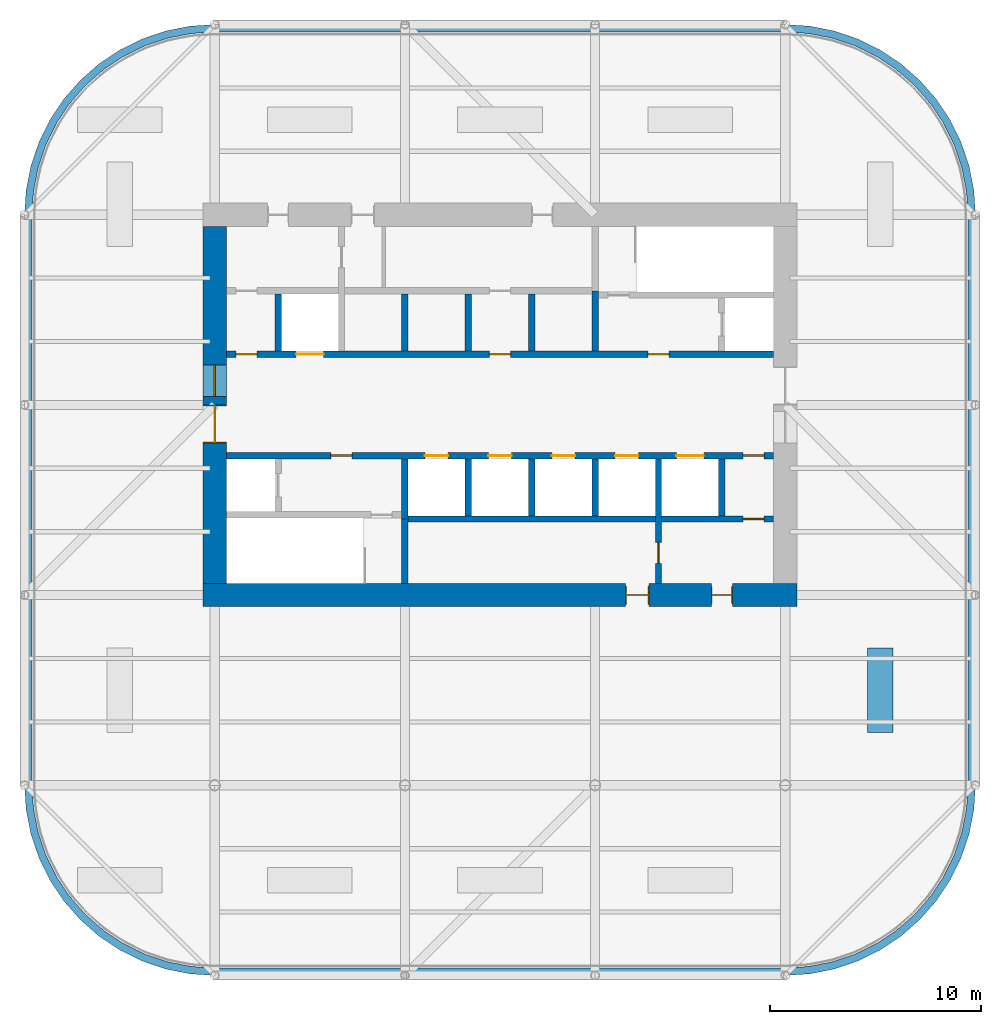
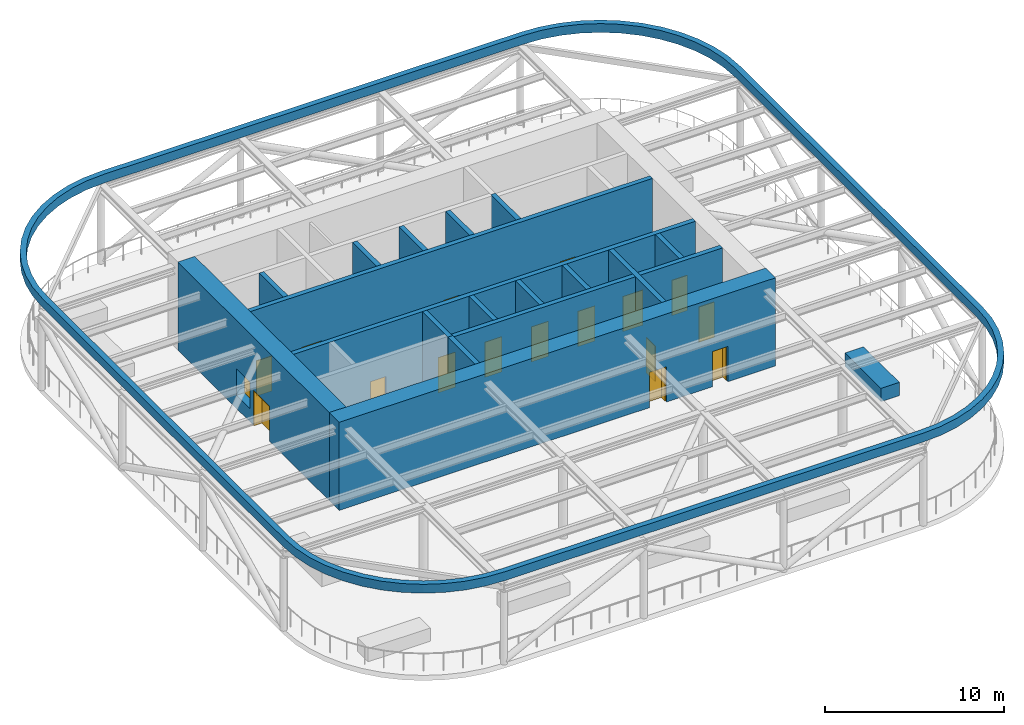
# One storey, part 5 of 8: 19 walls, 16 doors, 1 window, 17 openings.
"""IFC4 building model written with IfcOpenShell, lengths in metres."""

from ifc_helpers import new_model, si_unit, direction, frame, frame_2d, origin, place, context, subcontext, project, spatial, polyline, rectangle, outline, extrude, material, layer, layer_set, type_object, element, fill, save


model = new_model("IFC4")

# Units and contexts
model_context = context("Model", 3, precision=1e-05, world=origin(), true_north=direction((0.0, 1.0)))
body_context = subcontext(model_context, "Body", "Model", "MODEL_VIEW")
ifc_project = project(units=[si_unit("LENGTHUNIT", "METRE"), si_unit("AREAUNIT", "SQUARE_METRE"), si_unit("VOLUMEUNIT", "CUBIC_METRE"), si_unit("PLANEANGLEUNIT", "RADIAN"), si_unit("MASSUNIT", "GRAM", prefix="KILO")], contexts=[model_context])

# Site, building, storey
site_placement = place(None, origin())
site = spatial("IfcSite", under=ifc_project, at=site_placement, CompositionType="ELEMENT")
building_placement = place(site_placement, origin())
building = spatial("IfcBuilding", under=site, at=building_placement, Name="Zorevar Civic Tower", CompositionType="ELEMENT")
storey_placement = place(building_placement, frame((0.0, 0.0, 311.800048828125)))
storey = spatial("IfcBuildingStorey", under=building, at=storey_placement, Name="RF", CompositionType="ELEMENT", Elevation=311.800048828125)

# Wall, openings, doors
ifc_material_1 = material(Name="Concrete C50/60", Category="concrete")
ifc_layer_1 = layer(ifc_material_1, 1.10009765625)
ifc_layer_set_1 = layer_set([ifc_layer_1], Name="Core wall 1100")
wall_type_1 = type_object("IfcWallType", Name="Core wall 1100", PredefinedType="SHEAR", material=ifc_layer_set_1)
wall_1_placement = place(storey_placement, frame((17.449951171875, 18.0, 0.0), z_axis=(0.0, 0.0, 1.0), x_axis=(1.0, 0.0, 0.0)))
wall_1 = element("IfcWall", 1, at=wall_1_placement, inside=storey, type_object=wall_type_1, Name="Core wall S RF", PredefinedType="SHEAR", context=body_context, shape_type="SweptSolid", body=[
    extrude(rectangle(XDim=28.10009765625, YDim=1.10009765625, at=frame_2d((14.050048828125, 0.0))), origin(), (0.0, 0.0, 1.0), 6.0),
])
opening_1_placement = place(wall_1_placement, frame((20.0, 0.0, 0.0)))
opening_1 = element("IfcOpeningElement", 2, at=opening_1_placement, cuts=wall_1, Name="Opening RF.03", PredefinedType="OPENING", context=body_context, shape_type="SweptSolid", body=[
    extrude(rectangle(XDim=1.10009765625, YDim=2.39990234375, at=frame_2d((0.550048828125, 1.199951171875))), frame((0.0, 0.56005859375, 0.0), z_axis=(0.0, -1.0, 0.0), x_axis=(1.0, 0.0, 0.0)), (0.0, 0.0, 1.0), 1.1201171875),
])
opening_2_placement = place(wall_1_placement, frame((24.050048828125, 0.0, 0.0)))
opening_2 = element("IfcOpeningElement", 3, at=opening_2_placement, cuts=wall_1, Name="Opening RF.04", PredefinedType="OPENING", context=body_context, shape_type="SweptSolid", body=[
    extrude(rectangle(XDim=1.0, YDim=2.39990234375, at=frame_2d((0.5, 1.199951171875))), frame((0.0, 0.56005859375, 0.0), z_axis=(0.0, -1.0, 0.0), x_axis=(1.0, 0.0, 0.0)), (0.0, 0.0, 1.0), 1.1201171875),
])
ifc_material_2 = material(Name="Timber door set", Category="wood")
door_type_1 = type_object("IfcDoorType", Name="Door D1 1000x2400", OperationType="SINGLE_SWING_LEFT", PredefinedType="DOOR", material=ifc_material_2)
door_1_placement = place(opening_2_placement, origin())
door_1 = element("IfcDoor", 4, at=door_1_placement, inside=storey, type_object=door_type_1, Name="Door RF 05", OperationType="SINGLE_SWING_RIGHT", OverallHeight=2.39990234375, OverallWidth=1.0, PredefinedType="DOOR", context=body_context, shape_type="SweptSolid", body=[
    extrude(rectangle(XDim=1.0, YDim=2.39990234375, at=frame_2d((0.5, 1.199951171875))), frame((0.0, 0.02490234375, 0.0), z_axis=(0.0, -1.0, 0.0), x_axis=(1.0, 0.0, 0.0)), (0.0, 0.0, 1.0), 0.050048828125),
    extrude(rectangle(XDim=0.04, YDim=2.39990234375, at=frame_2d((0.02001953125, 1.199951171875))), frame((0.0, 0.39990234375, 0.0), z_axis=(0.0, -1.0, 0.0), x_axis=(1.0, 0.0, 0.0)), (0.0, 0.0, 1.0), 0.800048828125),
    extrude(rectangle(XDim=0.04, YDim=2.39990234375, at=frame_2d((0.97998046875, 1.199951171875))), frame((0.0, 0.39990234375, 0.0), z_axis=(0.0, -1.0, 0.0), x_axis=(1.0, 0.0, 0.0)), (0.0, 0.0, 1.0), 0.800048828125),
    extrude(rectangle(XDim=1.0, YDim=0.04, at=frame_2d((0.5, 2.3798828125))), frame((0.0, 0.39990234375, 0.0), z_axis=(0.0, -1.0, 0.0), x_axis=(1.0, 0.0, 0.0)), (0.0, 0.0, 1.0), 0.800048828125),
])
fill(opening_2, door_1)
ifc_material_3 = material(Name="Timber door set", Category="wood")
door_type_2 = type_object("IfcDoorType", Name="Door D5 1100x2400", OperationType="SINGLE_SWING_LEFT", PredefinedType="DOOR", material=ifc_material_3)
door_2_placement = place(opening_1_placement, origin())
door_2 = element("IfcDoor", 5, at=door_2_placement, inside=storey, type_object=door_type_2, Name="Door RF 04", OperationType="SINGLE_SWING_RIGHT", OverallHeight=2.39990234375, OverallWidth=1.10009765625, PredefinedType="DOOR", context=body_context, shape_type="SweptSolid", body=[
    extrude(rectangle(XDim=1.10009765625, YDim=2.39990234375, at=frame_2d((0.550048828125, 1.199951171875))), frame((0.0, 0.02490234375, 0.0), z_axis=(0.0, -1.0, 0.0), x_axis=(1.0, 0.0, 0.0)), (0.0, 0.0, 1.0), 0.050048828125),
    extrude(rectangle(XDim=0.04, YDim=2.39990234375, at=frame_2d((0.02001953125, 1.199951171875))), frame((0.0, 0.43994140625, 0.0), z_axis=(0.0, -1.0, 0.0), x_axis=(1.0, 0.0, 0.0)), (0.0, 0.0, 1.0), 0.880126953125),
    extrude(rectangle(XDim=0.04, YDim=2.39990234375, at=frame_2d((1.080078125, 1.199951171875))), frame((0.0, 0.43994140625, 0.0), z_axis=(0.0, -1.0, 0.0), x_axis=(1.0, 0.0, 0.0)), (0.0, 0.0, 1.0), 0.880126953125),
    extrude(rectangle(XDim=1.10009765625, YDim=0.04, at=frame_2d((0.550048828125, 2.3798828125))), frame((0.0, 0.43994140625, 0.0), z_axis=(0.0, -1.0, 0.0), x_axis=(1.0, 0.0, 0.0)), (0.0, 0.0, 1.0), 0.880126953125),
])
fill(opening_1, door_2)

# Wall, openings, door, window
wall_2_placement = place(storey_placement, frame((18.0, 35.449951171875, 0.0), z_axis=(0.0, 0.0, 1.0), x_axis=(0.0, -1.0, 0.0)))
wall_2 = element("IfcWall", 6, at=wall_2_placement, inside=storey, type_object=wall_type_1, Name="Core wall W RF", PredefinedType="SHEAR", context=body_context, shape_type="SweptSolid", body=[
    extrude(rectangle(XDim=16.89990234375, YDim=1.10009765625, at=frame_2d((8.449951171875, 0.0))), origin(), (0.0, 0.0, 1.0), 6.0),
])
opening_3_placement = place(wall_2_placement, frame((8.449951171875, 0.0, 0.0)))
opening_3 = element("IfcOpeningElement", 7, at=opening_3_placement, cuts=wall_2, Name="Opening RF.01", PredefinedType="OPENING", context=body_context, shape_type="SweptSolid", body=[
    extrude(rectangle(XDim=1.800048828125, YDim=2.39990234375, at=frame_2d((0.89990234375, 1.199951171875))), frame((0.0, 0.56005859375, 0.0), z_axis=(0.0, -1.0, 0.0), x_axis=(1.0, 0.0, 0.0)), (0.0, 0.0, 1.0), 1.1201171875),
])
opening_4_placement = place(wall_2_placement, frame((6.550048828125, 0.0, 0.89990234375)))
opening_4 = element("IfcOpeningElement", 8, at=opening_4_placement, cuts=wall_2, Name="Opening WR1", PredefinedType="OPENING", context=body_context, shape_type="SweptSolid", body=[
    extrude(rectangle(XDim=1.5, YDim=1.800048828125, at=frame_2d((0.75, 0.89990234375))), frame((0.0, 0.56005859375, 0.0), z_axis=(0.0, -1.0, 0.0), x_axis=(1.0, 0.0, 0.0)), (0.0, 0.0, 1.0), 1.1201171875),
])
ifc_material_4 = material(Name="Steel door set", Category="steel")
door_type_3 = type_object("IfcDoorType", Name="Fire door FD2 1800x2400", OperationType="DOUBLE_DOOR_DOUBLE_SWING", PredefinedType="DOOR", material=ifc_material_4)
door_3_placement = place(opening_3_placement, origin())
door_3 = element("IfcDoor", 9, at=door_3_placement, inside=storey, type_object=door_type_3, Name="Door RF 00", OperationType="DOUBLE_DOOR_DOUBLE_SWING", OverallHeight=2.39990234375, OverallWidth=1.800048828125, PredefinedType="DOOR", context=body_context, shape_type="SweptSolid", body=[
    extrude(rectangle(XDim=1.800048828125, YDim=2.39990234375, at=frame_2d((0.89990234375, 1.199951171875))), frame((0.0, 0.030029296875, 0.0), z_axis=(0.0, -1.0, 0.0), x_axis=(1.0, 0.0, 0.0)), (0.0, 0.0, 1.0), 0.06005859375),
    extrude(rectangle(XDim=0.04, YDim=2.39990234375, at=frame_2d((0.02001953125, 1.199951171875))), frame((0.0, 0.5498046875, 0.0), z_axis=(0.0, -1.0, 0.0), x_axis=(1.0, 0.0, 0.0)), (0.0, 0.0, 1.0), 1.099609375),
    extrude(rectangle(XDim=0.04, YDim=2.39990234375, at=frame_2d((1.780029296875, 1.199951171875))), frame((0.0, 0.5498046875, 0.0), z_axis=(0.0, -1.0, 0.0), x_axis=(1.0, 0.0, 0.0)), (0.0, 0.0, 1.0), 1.099609375),
    extrude(rectangle(XDim=1.800048828125, YDim=0.04, at=frame_2d((0.89990234375, 2.3798828125))), frame((0.0, 0.5498046875, 0.0), z_axis=(0.0, -1.0, 0.0), x_axis=(1.0, 0.0, 0.0)), (0.0, 0.0, 1.0), 1.099609375),
])
fill(opening_3, door_3)
ifc_material_5 = material(Name="Black aluminium frame with fire-resisting glass", Category="aluminium")
window_type = type_object("IfcWindowType", Name="Window WR1 1500x1800", PartitioningType="SINGLE_PANEL", PredefinedType="WINDOW", material=ifc_material_5)
window_placement = place(opening_4_placement, origin())
window = element("IfcWindow", 10, at=window_placement, inside=storey, type_object=window_type, Name="Lift lobby window W", OverallHeight=1.800048828125, OverallWidth=1.5, PartitioningType="SINGLE_PANEL", PredefinedType="WINDOW", context=body_context, shape_type="SweptSolid", body=[
    extrude(rectangle(XDim=1.5, YDim=1.800048828125, at=frame_2d((0.75, 0.89990234375))), frame((0.0, 0.030029296875, 0.0), z_axis=(0.0, -1.0, 0.0), x_axis=(1.0, 0.0, 0.0)), (0.0, 0.0, 1.0), 0.06005859375),
])
fill(opening_4, window)

# Wall
ifc_material_6 = material(Name="Concrete C40/50", Category="concrete")
ifc_layer_2 = layer(ifc_material_6, 0.300048828125)
ifc_layer_set_2 = layer_set([ifc_layer_2], Name="Inner core wall 300")
wall_type_2 = type_object("IfcWallType", Name="Inner core wall 300", PredefinedType="SHEAR", material=ifc_layer_set_2)
wall_3_placement = place(storey_placement, frame((27.0, 18.550048828125, 0.0), z_axis=(0.0, 0.0, 1.0), x_axis=(0.0, 1.0, 0.0)))
element("IfcWall", 11, at=wall_3_placement, inside=storey, type_object=wall_type_2, Name="Inner core wall S01 RF", PredefinedType="SHEAR", context=body_context, shape_type="SweptSolid", body=[
    extrude(rectangle(XDim=3.050048828125, YDim=0.300048828125, at=frame_2d((1.52490234375, 0.0))), origin(), (0.0, 0.0, 1.0), 6.0),
])

# Wall, openings, doors
wall_4_placement = place(storey_placement, frame((18.550048828125, 24.60009765625, 0.0), z_axis=(0.0, 0.0, 1.0), x_axis=(1.0, 0.0, 0.0)))
wall_4 = element("IfcWall", 12, at=wall_4_placement, inside=storey, type_object=wall_type_2, Name="Inner core wall S03 RF", PredefinedType="SHEAR", context=body_context, shape_type="SweptSolid", body=[
    extrude(rectangle(XDim=25.89990234375, YDim=0.300048828125, at=frame_2d((12.949951171875, 0.0))), origin(), (0.0, 0.0, 1.0), 6.0),
])
opening_5_placement = place(wall_4_placement, frame((4.949951171875, 0.0, 0.0)))
opening_5 = element("IfcOpeningElement", 13, at=opening_5_placement, cuts=wall_4, Name="Opening RF.10", PredefinedType="OPENING", context=body_context, shape_type="SweptSolid", body=[
    extrude(rectangle(XDim=1.0, YDim=2.39990234375, at=frame_2d((0.5, 1.199951171875))), frame((0.0, 0.159912109375, 0.0), z_axis=(0.0, -1.0, 0.0), x_axis=(1.0, 0.0, 0.0)), (0.0, 0.0, 1.0), 0.320068359375),
])
opening_6_placement = place(wall_4_placement, frame((24.449951171875, 0.0, 0.0)))
opening_6 = element("IfcOpeningElement", 14, at=opening_6_placement, cuts=wall_4, Name="Opening RF.12", PredefinedType="OPENING", context=body_context, shape_type="SweptSolid", body=[
    extrude(rectangle(XDim=1.0, YDim=2.39990234375, at=frame_2d((0.5, 1.199951171875))), frame((0.0, 0.159912109375, 0.0), z_axis=(0.0, -1.0, 0.0), x_axis=(1.0, 0.0, 0.0)), (0.0, 0.0, 1.0), 0.320068359375),
])
opening_7_placement = place(wall_4_placement, frame((9.39990234375, 0.0, 0.0)))
opening_7 = element("IfcOpeningElement", 15, at=opening_7_placement, cuts=wall_4, Name="Opening RF.LT1", PredefinedType="OPENING", context=body_context, shape_type="SweptSolid", body=[
    extrude(rectangle(XDim=1.10009765625, YDim=2.39990234375, at=frame_2d((0.550048828125, 1.199951171875))), frame((0.0, 0.159912109375, 0.0), z_axis=(0.0, -1.0, 0.0), x_axis=(1.0, 0.0, 0.0)), (0.0, 0.0, 1.0), 0.320068359375),
])
opening_8_placement = place(wall_4_placement, frame((12.39990234375, 0.0, 0.0)))
opening_8 = element("IfcOpeningElement", 16, at=opening_8_placement, cuts=wall_4, Name="Opening RF.LT2", PredefinedType="OPENING", context=body_context, shape_type="SweptSolid", body=[
    extrude(rectangle(XDim=1.10009765625, YDim=2.39990234375, at=frame_2d((0.550048828125, 1.199951171875))), frame((0.0, 0.159912109375, 0.0), z_axis=(0.0, -1.0, 0.0), x_axis=(1.0, 0.0, 0.0)), (0.0, 0.0, 1.0), 0.320068359375),
])
opening_9_placement = place(wall_4_placement, frame((15.39990234375, 0.0, 0.0)))
opening_9 = element("IfcOpeningElement", 17, at=opening_9_placement, cuts=wall_4, Name="Opening RF.LT3", PredefinedType="OPENING", context=body_context, shape_type="SweptSolid", body=[
    extrude(rectangle(XDim=1.10009765625, YDim=2.39990234375, at=frame_2d((0.550048828125, 1.199951171875))), frame((0.0, 0.159912109375, 0.0), z_axis=(0.0, -1.0, 0.0), x_axis=(1.0, 0.0, 0.0)), (0.0, 0.0, 1.0), 0.320068359375),
])
opening_10_placement = place(wall_4_placement, frame((18.39990234375, 0.0, 0.0)))
opening_10 = element("IfcOpeningElement", 18, at=opening_10_placement, cuts=wall_4, Name="Opening RF.LT4", PredefinedType="OPENING", context=body_context, shape_type="SweptSolid", body=[
    extrude(rectangle(XDim=1.10009765625, YDim=2.39990234375, at=frame_2d((0.550048828125, 1.199951171875))), frame((0.0, 0.159912109375, 0.0), z_axis=(0.0, -1.0, 0.0), x_axis=(1.0, 0.0, 0.0)), (0.0, 0.0, 1.0), 0.320068359375),
])
opening_11_placement = place(wall_4_placement, frame((21.300048828125, 0.0, 0.0)))
opening_11 = element("IfcOpeningElement", 19, at=opening_11_placement, cuts=wall_4, Name="Opening RF.SL1", PredefinedType="OPENING", context=body_context, shape_type="SweptSolid", body=[
    extrude(rectangle(XDim=1.300048828125, YDim=2.39990234375, at=frame_2d((0.64990234375, 1.199951171875))), frame((0.0, 0.159912109375, 0.0), z_axis=(0.0, -1.0, 0.0), x_axis=(1.0, 0.0, 0.0)), (0.0, 0.0, 1.0), 0.320068359375),
])
ifc_material_7 = material(Name="Steel door set", Category="steel")
door_type_4 = type_object("IfcDoorType", Name="Fire door FD1 1000x2400", OperationType="SINGLE_SWING_LEFT", PredefinedType="DOOR", material=ifc_material_7)
door_4_placement = place(opening_5_placement, origin())
door_4 = element("IfcDoor", 20, at=door_4_placement, inside=storey, type_object=door_type_4, Name="Door RF 12", OperationType="SINGLE_SWING_RIGHT", OverallHeight=2.39990234375, OverallWidth=1.0, PredefinedType="DOOR", context=body_context, shape_type="SweptSolid", body=[
    extrude(rectangle(XDim=1.0, YDim=2.39990234375, at=frame_2d((0.5, 1.199951171875))), frame((0.0, 0.030029296875, 0.0), z_axis=(0.0, -1.0, 0.0), x_axis=(1.0, 0.0, 0.0)), (0.0, 0.0, 1.0), 0.06005859375),
])
fill(opening_5, door_4)
door_5_placement = place(opening_6_placement, origin())
door_5 = element("IfcDoor", 21, at=door_5_placement, inside=storey, type_object=door_type_4, Name="Door RF 14", OperationType="SINGLE_SWING_LEFT", OverallHeight=2.39990234375, OverallWidth=1.0, PredefinedType="DOOR", context=body_context, shape_type="SweptSolid", body=[
    extrude(rectangle(XDim=1.0, YDim=2.39990234375, at=frame_2d((0.5, 1.199951171875))), frame((0.0, 0.030029296875, 0.0), z_axis=(0.0, -1.0, 0.0), x_axis=(1.0, 0.0, 0.0)), (0.0, 0.0, 1.0), 0.06005859375),
])
fill(opening_6, door_5)
ifc_material_8 = material(Name="Steel door set", Category="steel")
door_type_5 = type_object("IfcDoorType", Name="Landing door LD1 1100x2400", OperationType="DOUBLE_DOOR_SLIDING", PredefinedType="DOOR", material=ifc_material_8)
door_6_placement = place(opening_7_placement, origin())
door_6 = element("IfcDoor", 22, at=door_6_placement, inside=storey, type_object=door_type_5, Name="Landing door LT1 RF", OperationType="DOUBLE_DOOR_SLIDING", OverallHeight=2.39990234375, OverallWidth=1.10009765625, PredefinedType="DOOR", context=body_context, shape_type="SweptSolid", body=[
    extrude(rectangle(XDim=1.10009765625, YDim=2.39990234375, at=frame_2d((0.550048828125, 1.199951171875))), frame((0.0, 0.02001953125, 0.0), z_axis=(0.0, -1.0, 0.0), x_axis=(1.0, 0.0, 0.0)), (0.0, 0.0, 1.0), 0.0400390625),
])
fill(opening_7, door_6)
door_7_placement = place(opening_8_placement, origin())
door_7 = element("IfcDoor", 23, at=door_7_placement, inside=storey, type_object=door_type_5, Name="Landing door LT2 RF", OperationType="DOUBLE_DOOR_SLIDING", OverallHeight=2.39990234375, OverallWidth=1.10009765625, PredefinedType="DOOR", context=body_context, shape_type="SweptSolid", body=[
    extrude(rectangle(XDim=1.10009765625, YDim=2.39990234375, at=frame_2d((0.550048828125, 1.199951171875))), frame((0.0, 0.02001953125, 0.0), z_axis=(0.0, -1.0, 0.0), x_axis=(1.0, 0.0, 0.0)), (0.0, 0.0, 1.0), 0.0400390625),
])
fill(opening_8, door_7)
door_8_placement = place(opening_9_placement, origin())
door_8 = element("IfcDoor", 24, at=door_8_placement, inside=storey, type_object=door_type_5, Name="Landing door LT3 RF", OperationType="DOUBLE_DOOR_SLIDING", OverallHeight=2.39990234375, OverallWidth=1.10009765625, PredefinedType="DOOR", context=body_context, shape_type="SweptSolid", body=[
    extrude(rectangle(XDim=1.10009765625, YDim=2.39990234375, at=frame_2d((0.550048828125, 1.199951171875))), frame((0.0, 0.02001953125, 0.0), z_axis=(0.0, -1.0, 0.0), x_axis=(1.0, 0.0, 0.0)), (0.0, 0.0, 1.0), 0.0400390625),
])
fill(opening_9, door_8)
door_9_placement = place(opening_10_placement, origin())
door_9 = element("IfcDoor", 25, at=door_9_placement, inside=storey, type_object=door_type_5, Name="Landing door LT4 RF", OperationType="DOUBLE_DOOR_SLIDING", OverallHeight=2.39990234375, OverallWidth=1.10009765625, PredefinedType="DOOR", context=body_context, shape_type="SweptSolid", body=[
    extrude(rectangle(XDim=1.10009765625, YDim=2.39990234375, at=frame_2d((0.550048828125, 1.199951171875))), frame((0.0, 0.02001953125, 0.0), z_axis=(0.0, -1.0, 0.0), x_axis=(1.0, 0.0, 0.0)), (0.0, 0.0, 1.0), 0.0400390625),
])
fill(opening_10, door_9)
ifc_material_9 = material(Name="Steel door set", Category="steel")
door_type_6 = type_object("IfcDoorType", Name="Landing door LD2 1300x2400", OperationType="DOUBLE_DOOR_SLIDING", PredefinedType="DOOR", material=ifc_material_9)
door_10_placement = place(opening_11_placement, origin())
door_10 = element("IfcDoor", 26, at=door_10_placement, inside=storey, type_object=door_type_6, Name="Landing door SL1 RF", OperationType="DOUBLE_DOOR_SLIDING", OverallHeight=2.39990234375, OverallWidth=1.300048828125, PredefinedType="DOOR", context=body_context, shape_type="SweptSolid", body=[
    extrude(rectangle(XDim=1.300048828125, YDim=2.39990234375, at=frame_2d((0.64990234375, 1.199951171875))), frame((0.0, 0.02001953125, 0.0), z_axis=(0.0, -1.0, 0.0), x_axis=(1.0, 0.0, 0.0)), (0.0, 0.0, 1.0), 0.0400390625),
])
fill(opening_11, door_10)

wall_5_placement = place(storey_placement, frame((18.550048828125, 29.39990234375, 0.0), z_axis=(0.0, 0.0, 1.0), x_axis=(1.0, 0.0, 0.0)))
wall_5 = element("IfcWall", 27, at=wall_5_placement, inside=storey, type_object=wall_type_2, Name="Inner core wall N03 RF", PredefinedType="SHEAR", context=body_context, shape_type="SweptSolid", body=[
    extrude(rectangle(XDim=25.89990234375, YDim=0.300048828125, at=frame_2d((12.949951171875, 0.0))), origin(), (0.0, 0.0, 1.0), 6.0),
])
opening_12_placement = place(wall_5_placement, frame((19.949951171875, 0.0, 0.0)))
opening_12 = element("IfcOpeningElement", 28, at=opening_12_placement, cuts=wall_5, Name="Opening RF.11", PredefinedType="OPENING", context=body_context, shape_type="SweptSolid", body=[
    extrude(rectangle(XDim=1.0, YDim=2.39990234375, at=frame_2d((0.5, 1.199951171875))), frame((0.0, 0.159912109375, 0.0), z_axis=(0.0, -1.0, 0.0), x_axis=(1.0, 0.0, 0.0)), (0.0, 0.0, 1.0), 0.320068359375),
])
opening_13_placement = place(wall_5_placement, frame((0.449951171875, 0.0, 0.0)))
opening_13 = element("IfcOpeningElement", 29, at=opening_13_placement, cuts=wall_5, Name="Opening RF.13", PredefinedType="OPENING", context=body_context, shape_type="SweptSolid", body=[
    extrude(rectangle(XDim=1.0, YDim=2.39990234375, at=frame_2d((0.5, 1.199951171875))), frame((0.0, 0.159912109375, 0.0), z_axis=(0.0, -1.0, 0.0), x_axis=(1.0, 0.0, 0.0)), (0.0, 0.0, 1.0), 0.320068359375),
])
opening_14_placement = place(wall_5_placement, frame((12.449951171875, 0.0, 0.0)))
opening_14 = element("IfcOpeningElement", 30, at=opening_14_placement, cuts=wall_5, Name="Opening RF.18", PredefinedType="OPENING", context=body_context, shape_type="SweptSolid", body=[
    extrude(rectangle(XDim=1.0, YDim=2.39990234375, at=frame_2d((0.5, 1.199951171875))), frame((0.0, 0.159912109375, 0.0), z_axis=(0.0, -1.0, 0.0), x_axis=(1.0, 0.0, 0.0)), (0.0, 0.0, 1.0), 0.320068359375),
])
opening_15_placement = place(wall_5_placement, frame((3.300048828125, 0.0, 0.0)))
opening_15 = element("IfcOpeningElement", 31, at=opening_15_placement, cuts=wall_5, Name="Opening RF.SL2", PredefinedType="OPENING", context=body_context, shape_type="SweptSolid", body=[
    extrude(rectangle(XDim=1.300048828125, YDim=2.39990234375, at=frame_2d((0.64990234375, 1.199951171875))), frame((0.0, 0.159912109375, 0.0), z_axis=(0.0, -1.0, 0.0), x_axis=(1.0, 0.0, 0.0)), (0.0, 0.0, 1.0), 0.320068359375),
])
door_11_placement = place(opening_12_placement, origin())
door_11 = element("IfcDoor", 32, at=door_11_placement, inside=storey, type_object=door_type_4, Name="Door RF 13", OperationType="SINGLE_SWING_RIGHT", OverallHeight=2.39990234375, OverallWidth=1.0, PredefinedType="DOOR", context=body_context, shape_type="SweptSolid", body=[
    extrude(rectangle(XDim=1.0, YDim=2.39990234375, at=frame_2d((0.5, 1.199951171875))), frame((0.0, 0.030029296875, 0.0), z_axis=(0.0, -1.0, 0.0), x_axis=(1.0, 0.0, 0.0)), (0.0, 0.0, 1.0), 0.06005859375),
])
fill(opening_12, door_11)
door_12_placement = place(opening_13_placement, origin())
door_12 = element("IfcDoor", 33, at=door_12_placement, inside=storey, type_object=door_type_4, Name="Door RF 15", OperationType="SINGLE_SWING_LEFT", OverallHeight=2.39990234375, OverallWidth=1.0, PredefinedType="DOOR", context=body_context, shape_type="SweptSolid", body=[
    extrude(rectangle(XDim=1.0, YDim=2.39990234375, at=frame_2d((0.5, 1.199951171875))), frame((0.0, 0.030029296875, 0.0), z_axis=(0.0, -1.0, 0.0), x_axis=(1.0, 0.0, 0.0)), (0.0, 0.0, 1.0), 0.06005859375),
])
fill(opening_13, door_12)
door_13_placement = place(opening_14_placement, origin())
door_13 = element("IfcDoor", 34, at=door_13_placement, inside=storey, type_object=door_type_4, Name="Door RF 20", OperationType="SINGLE_SWING_RIGHT", OverallHeight=2.39990234375, OverallWidth=1.0, PredefinedType="DOOR", context=body_context, shape_type="SweptSolid", body=[
    extrude(rectangle(XDim=1.0, YDim=2.39990234375, at=frame_2d((0.5, 1.199951171875))), frame((0.0, 0.030029296875, 0.0), z_axis=(0.0, -1.0, 0.0), x_axis=(1.0, 0.0, 0.0)), (0.0, 0.0, 1.0), 0.06005859375),
])
fill(opening_14, door_13)
door_14_placement = place(opening_15_placement, origin())
door_14 = element("IfcDoor", 35, at=door_14_placement, inside=storey, type_object=door_type_6, Name="Landing door SL2 RF", OperationType="DOUBLE_DOOR_SLIDING", OverallHeight=2.39990234375, OverallWidth=1.300048828125, PredefinedType="DOOR", context=body_context, shape_type="SweptSolid", body=[
    extrude(rectangle(XDim=1.300048828125, YDim=2.39990234375, at=frame_2d((0.64990234375, 1.199951171875))), frame((0.0, 0.02001953125, 0.0), z_axis=(0.0, -1.0, 0.0), x_axis=(1.0, 0.0, 0.0)), (0.0, 0.0, 1.0), 0.0400390625),
])
fill(opening_15, door_14)

# Wall, opening, door
wall_6_placement = place(storey_placement, frame((27.14990234375, 21.60009765625, 0.0), z_axis=(0.0, 0.0, 1.0), x_axis=(1.0, 0.0, 0.0)))
wall_6 = element("IfcWall", 36, at=wall_6_placement, inside=storey, type_object=wall_type_2, Name="Inner core wall S04 RF", PredefinedType="SHEAR", context=body_context, shape_type="SweptSolid", body=[
    extrude(rectangle(XDim=17.300048828125, YDim=0.300048828125, at=frame_2d((8.64990234375, 0.0))), origin(), (0.0, 0.0, 1.0), 6.0),
])
opening_16_placement = place(wall_6_placement, frame((15.85009765625, 0.0, 0.0)))
opening_16 = element("IfcOpeningElement", 37, at=opening_16_placement, cuts=wall_6, Name="Opening RF.14", PredefinedType="OPENING", context=body_context, shape_type="SweptSolid", body=[
    extrude(rectangle(XDim=1.0, YDim=2.39990234375, at=frame_2d((0.5, 1.199951171875))), frame((0.0, 0.159912109375, 0.0), z_axis=(0.0, -1.0, 0.0), x_axis=(1.0, 0.0, 0.0)), (0.0, 0.0, 1.0), 0.320068359375),
])
door_15_placement = place(opening_16_placement, origin())
door_15 = element("IfcDoor", 38, at=door_15_placement, inside=storey, type_object=door_type_4, Name="Door RF 16", OperationType="SINGLE_SWING_RIGHT", OverallHeight=2.39990234375, OverallWidth=1.0, PredefinedType="DOOR", context=body_context, shape_type="SweptSolid", body=[
    extrude(rectangle(XDim=1.0, YDim=2.39990234375, at=frame_2d((0.5, 1.199951171875))), frame((0.0, 0.030029296875, 0.0), z_axis=(0.0, -1.0, 0.0), x_axis=(1.0, 0.0, 0.0)), (0.0, 0.0, 1.0), 0.06005859375),
])
fill(opening_16, door_15)

# Walls
for number, where, z_axis, x_axis, name in (
    (39, (30.0, 21.75, 0.0), (0.0, 0.0, 1.0), (0.0, 1.0, 0.0), "Inner core wall S05 RF"),
    (40, (33.0, 29.550048828125, 0.0), (0.0, 0.0, 1.0), (0.0, 1.0, 0.0), "Inner core wall N05 RF"),
    (41, (33.0, 21.75, 0.0), (0.0, 0.0, 1.0), (0.0, 1.0, 0.0), "Inner core wall S06 RF"),
    (42, (30.0, 29.550048828125, 0.0), (0.0, 0.0, 1.0), (0.0, 1.0, 0.0), "Inner core wall N06 RF"),
    (43, (36.0, 21.75, 0.0), (0.0, 0.0, 1.0), (0.0, 1.0, 0.0), "Inner core wall S07 RF"),
    (44, (27.0, 29.550048828125, 0.0), (0.0, 0.0, 1.0), (0.0, 1.0, 0.0), "Inner core wall N07 RF"),
):
    element("IfcWall", number, at=place(storey_placement, frame(where, z_axis=z_axis, x_axis=x_axis)), inside=storey, type_object=wall_type_2, Name=name, PredefinedType="SHEAR", context=body_context, shape_type="SweptSolid", body=[
        extrude(rectangle(XDim=2.699951171875, YDim=0.300048828125, at=frame_2d((1.35009765625, 0.0))), origin(), (0.0, 0.0, 1.0), 6.0),
    ])

# Wall, opening, door
wall_7_placement = place(storey_placement, frame((39.0, 18.550048828125, 0.0), z_axis=(0.0, 0.0, 1.0), x_axis=(0.0, 1.0, 0.0)))
wall_7 = element("IfcWall", 45, at=wall_7_placement, inside=storey, type_object=wall_type_2, Name="Inner core wall S08 RF", PredefinedType="SHEAR", context=body_context, shape_type="SweptSolid", body=[
    extrude(rectangle(XDim=5.89990234375, YDim=0.300048828125, at=frame_2d((2.949951171875, 0.0))), origin(), (0.0, 0.0, 1.0), 6.0),
])
opening_17_placement = place(wall_7_placement, frame((0.949951171875, 0.0, 0.0)))
opening_17 = element("IfcOpeningElement", 46, at=opening_17_placement, cuts=wall_7, Name="Opening RF.16", PredefinedType="OPENING", context=body_context, shape_type="SweptSolid", body=[
    extrude(rectangle(XDim=1.0, YDim=2.39990234375, at=frame_2d((0.5, 1.199951171875))), frame((0.0, 0.159912109375, 0.0), z_axis=(0.0, -1.0, 0.0), x_axis=(1.0, 0.0, 0.0)), (0.0, 0.0, 1.0), 0.320068359375),
])
door_16_placement = place(opening_17_placement, origin())
door_16 = element("IfcDoor", 47, at=door_16_placement, inside=storey, type_object=door_type_4, Name="Door RF 18", OperationType="SINGLE_SWING_RIGHT", OverallHeight=2.39990234375, OverallWidth=1.0, PredefinedType="DOOR", context=body_context, shape_type="SweptSolid", body=[
    extrude(rectangle(XDim=1.0, YDim=2.39990234375, at=frame_2d((0.5, 1.199951171875))), frame((0.0, 0.030029296875, 0.0), z_axis=(0.0, -1.0, 0.0), x_axis=(1.0, 0.0, 0.0)), (0.0, 0.0, 1.0), 0.06005859375),
])
fill(opening_17, door_16)

# Walls
for number, where, z_axis, x_axis, name in (
    (48, (42.0, 21.75, 0.0), (0.0, 0.0, 1.0), (0.0, 1.0, 0.0), "Inner core wall S09 RF"),
    (49, (21.0, 29.550048828125, 0.0), (0.0, 0.0, 1.0), (0.0, 1.0, 0.0), "Inner core wall N09 RF"),
):
    element("IfcWall", number, at=place(storey_placement, frame(where, z_axis=z_axis, x_axis=x_axis)), inside=storey, type_object=wall_type_2, Name=name, PredefinedType="SHEAR", context=body_context, shape_type="SweptSolid", body=[
        extrude(rectangle(XDim=2.699951171875, YDim=0.300048828125, at=frame_2d((1.35009765625, 0.0))), origin(), (0.0, 0.0, 1.0), 6.0),
    ])
for number, where, z_axis, x_axis, name in (
    (50, (27.0, 21.60009765625, 0.0), (0.0, 0.0, 1.0), (0.0, 1.0, 0.0), "Inner core wall S10 RF"),
    (51, (36.0, 29.550048828125, 0.0), (0.0, 0.0, 1.0), (0.0, 1.0, 0.0), "Inner core wall N10 RF"),
):
    element("IfcWall", number, at=place(storey_placement, frame(where, z_axis=z_axis, x_axis=x_axis)), inside=storey, type_object=wall_type_2, Name=name, PredefinedType="SHEAR", context=body_context, shape_type="SweptSolid", body=[
        extrude(rectangle(XDim=2.849853515625, YDim=0.300048828125, at=frame_2d((1.4248046875, 0.0))), origin(), (0.0, 0.0, 1.0), 6.0),
    ])
ifc_material_10 = material(Name="Concrete C40/50 with black metal coping", Category="concrete")
ifc_layer_3 = layer(ifc_material_10, 0.35009765625)
ifc_layer_set_3 = layer_set([ifc_layer_3], Name="Parapet 350")
wall_type_3 = type_object("IfcWallType", Name="Parapet 350", PredefinedType="PARAPET", material=ifc_layer_set_3)
wall_8_placement = place(storey_placement, frame((0.0, 0.0, 5.599853515625)))
element("IfcWall", 52, at=wall_8_placement, inside=storey, type_object=wall_type_3, Name="Canopy deck parapet", PredefinedType="PARAPET", context=body_context, shape_type="SweptSolid", body=[
    extrude(outline(polyline([(45.0, 0.0), (46.1748046875, 0.076904296875), (47.329345703125, 0.306640625), (48.444091796875, 0.68505859375), (49.5, 1.205810546875), (50.478759765625, 1.85986328125), (51.364013671875, 2.635986328125), (52.14013671875, 3.521240234375), (52.794189453125, 4.5), (53.31494140625, 5.555908203125), (53.693359375, 6.670654296875), (53.923095703125, 7.8251953125), (54.0, 9.0), (54.0, 36.0), (53.923095703125, 37.1748046875), (53.693359375, 38.329345703125), (53.31494140625, 39.444091796875), (52.794189453125, 40.5), (52.14013671875, 41.478759765625), (51.364013671875, 42.364013671875), (50.478759765625, 43.14013671875), (49.5, 43.794189453125), (48.444091796875, 44.31494140625), (47.329345703125, 44.693359375), (46.1748046875, 44.923095703125), (45.0, 45.0), (18.0, 45.0), (16.8251953125, 44.923095703125), (15.670654296875, 44.693359375), (14.555908203125, 44.31494140625), (13.5, 43.794189453125), (12.521240234375, 43.14013671875), (11.635986328125, 42.364013671875), (10.85986328125, 41.478759765625), (10.205810546875, 40.5), (9.68505859375, 39.444091796875), (9.306640625, 38.329345703125), (9.076904296875, 37.1748046875), (9.0, 36.0), (9.0, 9.0), (9.076904296875, 7.8251953125), (9.306640625, 6.670654296875), (9.68505859375, 5.555908203125), (10.205810546875, 4.5), (10.85986328125, 3.521240234375), (11.635986328125, 2.635986328125), (12.521240234375, 1.85986328125), (13.5, 1.205810546875), (14.555908203125, 0.68505859375), (15.670654296875, 0.306640625), (16.8251953125, 0.076904296875), (18.0, 0.0), (45.0, 0.0)]), holes=[polyline([(44.988525390625, 0.35009765625), (18.011474609375, 0.35009765625), (16.87109375, 0.4248046875), (15.761474609375, 0.6455078125), (14.690185546875, 1.009033203125), (13.67529296875, 1.509521484375), (12.734619140625, 2.13818359375), (11.884033203125, 2.884033203125), (11.13818359375, 3.734619140625), (10.509521484375, 4.67529296875), (10.009033203125, 5.690185546875), (9.6455078125, 6.761474609375), (9.4248046875, 7.87109375), (9.35009765625, 9.011474609375), (9.35009765625, 35.988525390625), (9.4248046875, 37.12890625), (9.6455078125, 38.238525390625), (10.009033203125, 39.309814453125), (10.509521484375, 40.32470703125), (11.13818359375, 41.265380859375), (11.884033203125, 42.115966796875), (12.734619140625, 42.86181640625), (13.67529296875, 43.490478515625), (14.690185546875, 43.990966796875), (15.761474609375, 44.3544921875), (16.87109375, 44.5751953125), (18.011474609375, 44.64990234375), (44.988525390625, 44.64990234375), (46.12890625, 44.5751953125), (47.238525390625, 44.3544921875), (48.309814453125, 43.990966796875), (49.32470703125, 43.490478515625), (50.265380859375, 42.86181640625), (51.115966796875, 42.115966796875), (51.86181640625, 41.265380859375), (52.490478515625, 40.32470703125), (52.990966796875, 39.309814453125), (53.3544921875, 38.238525390625), (53.5751953125, 37.12890625), (53.64990234375, 35.988525390625), (53.64990234375, 9.011474609375), (53.5751953125, 7.87109375), (53.3544921875, 6.761474609375), (52.990966796875, 5.690185546875), (52.490478515625, 4.67529296875), (51.86181640625, 3.734619140625), (51.115966796875, 2.884033203125), (50.265380859375, 2.13818359375), (49.32470703125, 1.509521484375), (48.309814453125, 1.009033203125), (47.238525390625, 0.6455078125), (46.12890625, 0.4248046875), (44.988525390625, 0.35009765625)])]), origin(), (0.0, 0.0, 1.0), 0.60009765625),
])
ifc_material_11 = material(Name="Precast concrete planter", Category="concrete")
ifc_layer_4 = layer(ifc_material_11, 1.199951171875)
ifc_layer_set_4 = layer_set([ifc_layer_4], Name="Planter PL1 1200")
wall_type_4 = type_object("IfcWallType", Name="Planter PL1 1200", PredefinedType="USERDEFINED", material=ifc_layer_set_4)
wall_9_placement = place(storey_placement, frame((49.5, 11.5, 0.0), z_axis=(0.0, 0.0, 1.0), x_axis=(0.0, 1.0, 0.0)))
element("IfcWall", 53, at=wall_9_placement, inside=storey, type_object=wall_type_4, Name="Planter RF", ObjectType="PLANTER", PredefinedType="USERDEFINED", context=body_context, shape_type="SweptSolid", body=[
    extrude(rectangle(XDim=4.0, YDim=1.199951171875, at=frame_2d((2.0, 0.0))), origin(), (0.0, 0.0, 1.0), 0.89990234375),
])

save(model, "model.ifc")
